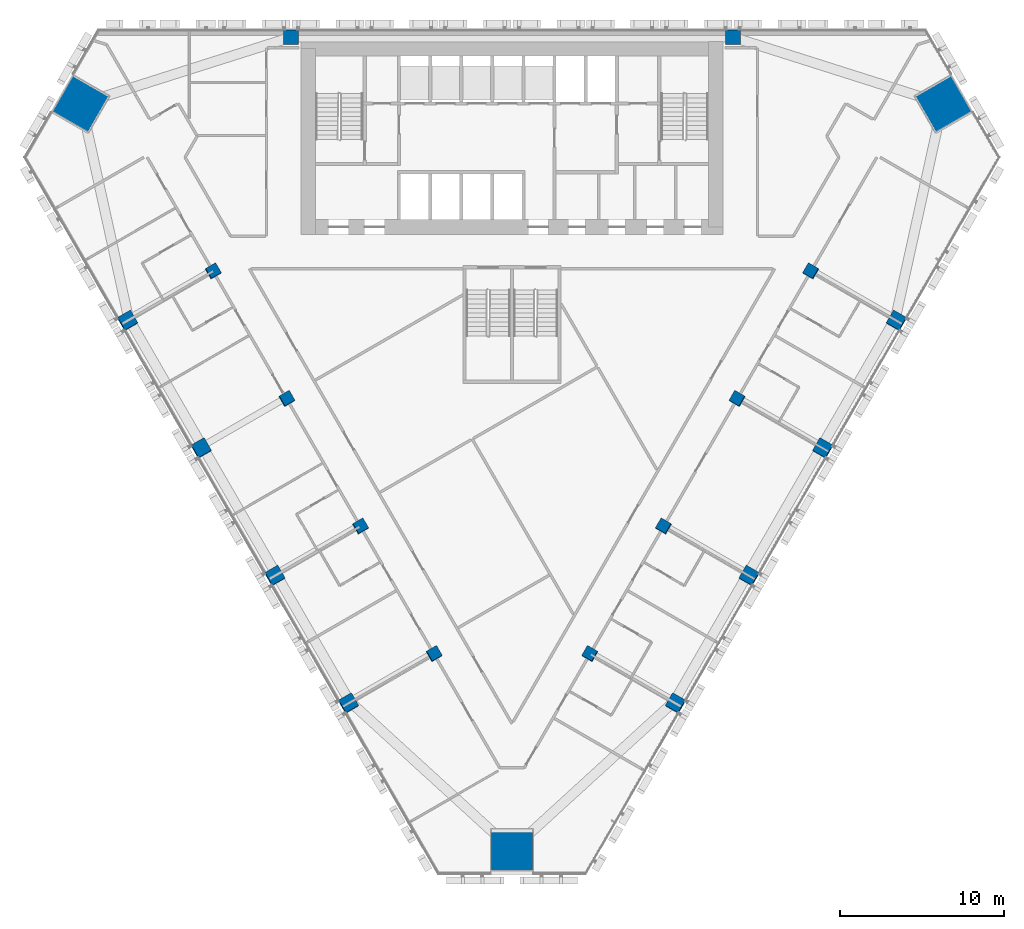
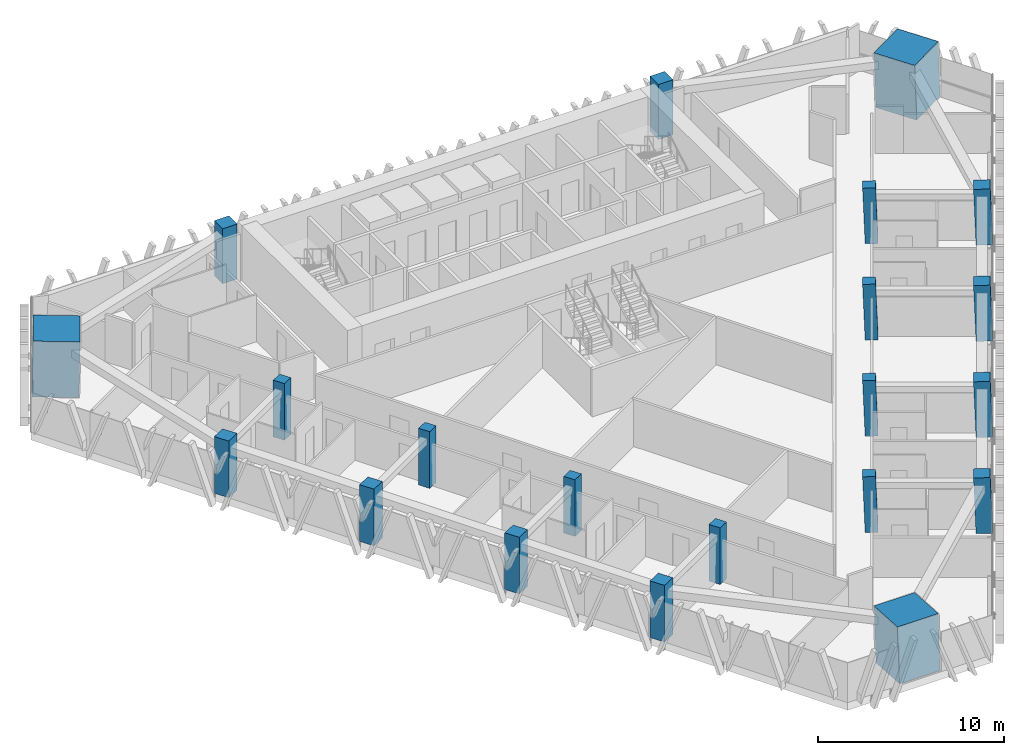
# One storey, part 1 of 16: 21 columns.
"""IFC4 building model written with IfcOpenShell, lengths in metres."""

from ifc_helpers import new_model, si_unit, direction, frame, origin, origin_2d, place, context, subcontext, project, spatial, rectangle, extrude, material, material_profile, profile_set, type_object, element, save


model = new_model("IFC4")

# Units and contexts
model_context = context("Model", 3, precision=1e-05, world=origin(), true_north=direction((0.0, 1.0)))
body_context = subcontext(model_context, "Body", "Model", "MODEL_VIEW")
ifc_project = project(units=[si_unit("LENGTHUNIT", "METRE"), si_unit("AREAUNIT", "SQUARE_METRE"), si_unit("VOLUMEUNIT", "CUBIC_METRE"), si_unit("PLANEANGLEUNIT", "RADIAN"), si_unit("MASSUNIT", "GRAM", prefix="KILO")], contexts=[model_context])

# Site, building, storey
site_placement = place(None, origin())
site = spatial("IfcSite", under=ifc_project, at=site_placement, CompositionType="ELEMENT")
building_placement = place(site_placement, origin())
building = spatial("IfcBuilding", under=site, at=building_placement, Name="Altiplano Prism Tower", CompositionType="ELEMENT")
storey_placement = place(building_placement, frame((0.0, 0.0, 73.800048828125)))
storey = spatial("IfcBuildingStorey", under=building, at=storey_placement, Name="L18", CompositionType="ELEMENT", Elevation=73.800048828125)

# Columns
ifc_material_1 = material(Name="Concrete C60/75", Category="concrete")
ifc_material_profile_1 = material_profile(ifc_material_1, rectangle(XDim=0.699951171875, YDim=0.699951171875, at=origin_2d()), Name="Inner column 700")
ifc_profile_set_1 = profile_set([ifc_material_profile_1], Name="Concrete C60/75")
column_type_1 = type_object("IfcColumnType", Name="Inner column 700", PredefinedType="COLUMN", material=ifc_profile_set_1)
for number, where, z_axis, x_axis, name in (
    (1, (66.73193359375, 90.24169921875, -0.021240234375), (0.022222910879, 0.038415824599, 0.999014697916), (-0.866026683964, -0.498518376824, 0.038434497931), "Inner column I11 L18"),
    (2, (71.23193359375, 82.447509765625, -0.021240234375), (0.022222910879, 0.038415824599, 0.999014697916), (-0.866021331072, -0.498527657424, 0.038434735731), "Inner column I12 L18"),
    (3, (75.73193359375, 74.653076171875, -0.021240234375), (0.022222852987, 0.038483477124, 0.999012095419), (-0.865639360837, -0.499186706709, 0.038485436403), "Inner column I13 L18"),
    (4, (80.23193359375, 66.85888671875, -0.021240234375), (0.022222852987, 0.038483477124, 0.999012095419), (-0.865639360837, -0.499186706709, 0.038485436403), "Inner column I14 L18"),
    (5, (89.76806640625, 66.85888671875, -0.021240234375), (-0.022222852987, 0.038483477124, 0.999012095419), (-0.500174611287, -0.865639447942, 0.022219459744), "Inner column I21 L18"),
    (6, (94.26806640625, 74.653076171875, -0.021240234375), (-0.022222852987, 0.038483477124, 0.999012095419), (-0.500174611287, -0.865639447942, 0.022219459744), "Inner column I22 L18"),
    (7, (98.76806640625, 82.447509765625, -0.021240234375), (-0.022222910879, 0.038415824599, 0.999014697916), (-0.499512959151, -0.866022170157, 0.022190187852), "Inner column I23 L18"),
    (8, (103.26806640625, 90.24169921875, -0.021240234375), (-0.022222910879, 0.038415824599, 0.999014697916), (-0.499512959151, -0.866022170157, 0.022190187852), "Inner column I24 L18"),
):
    element("IfcColumn", number, at=place(storey_placement, frame(where, z_axis=z_axis, x_axis=x_axis)), inside=storey, type_object=column_type_1, Name=name, PredefinedType="COLUMN", context=body_context, shape_type="SweptSolid", body=[
        extrude(rectangle(XDim=0.699951171875, YDim=0.699951171875, at=origin_2d()), origin(), (0.0, 0.0, 1.0), 3.603515625),
    ])
ifc_material_2 = material(Name="Concrete C70/85", Category="concrete")
ifc_material_profile_2 = material_profile(ifc_material_2, rectangle(XDim=2.52001953125, YDim=2.52001953125, at=origin_2d()), Name="Mega column infill 2600")
ifc_profile_set_2 = profile_set([ifc_material_profile_2], Name="Concrete C70/85")
column_type_2 = type_object("IfcColumnType", Name="Mega column infill 2600", PredefinedType="COLUMN", material=ifc_profile_set_2)
column_1_placement = place(storey_placement, frame((58.58203125, 100.453125, 0.0), z_axis=(0.028403721265, 0.009287135593, 0.999553389135), x_axis=(-0.866201868799, 0.499294814231, 0.019975258968)))
element("IfcColumn", 9, at=column_1_placement, inside=storey, type_object=column_type_2, Name="Mega column M0 L18", PredefinedType="COLUMN", context=body_context, shape_type="SweptSolid", body=[
    extrude(rectangle(XDim=2.52001953125, YDim=2.52001953125, at=origin_2d()), origin(), (0.0, 0.0, 1.0), 3.6015625),
])
column_2_placement = place(storey_placement, frame((85.0, 54.69580078125, 0.0), z_axis=(0.0, 0.058360852261, 0.998295552892), x_axis=(-1.0, 0.0, 0.0)))
element("IfcColumn", 10, at=column_2_placement, inside=storey, type_object=column_type_2, Name="Mega column M1 L18", PredefinedType="COLUMN", context=body_context, shape_type="SweptSolid", body=[
    extrude(rectangle(XDim=2.52001953125, YDim=2.52001953125, at=origin_2d()), origin(), (0.0, 0.0, 1.0), 3.60595703125),
])
column_3_placement = place(storey_placement, frame((111.41796875, 100.453125, 0.0), z_axis=(-0.028403721265, 0.009287135593, 0.999553389135), x_axis=(0.498883816319, -0.866383823183, 0.022226307414)))
element("IfcColumn", 11, at=column_3_placement, inside=storey, type_object=column_type_2, Name="Mega column M2 L18", PredefinedType="COLUMN", context=body_context, shape_type="SweptSolid", body=[
    extrude(rectangle(XDim=2.52001953125, YDim=2.52001953125, at=origin_2d()), origin(), (0.0, 0.0, 1.0), 3.6015625),
])
ifc_material_profile_3 = material_profile(ifc_material_1, rectangle(XDim=0.89990234375, YDim=0.89990234375, at=origin_2d()), Name="Perimeter column 900")
ifc_profile_set_3 = profile_set([ifc_material_profile_3], Name="Concrete C60/75")
column_type_3 = type_object("IfcColumnType", Name="Perimeter column 900", PredefinedType="COLUMN", material=ifc_profile_set_3)
for number, where, z_axis, x_axis, name in (
    (12, (98.5, 104.550048828125, 0.0), (0.0, 0.0, 1.0), (1.0, 0.0, 0.0), "Perimeter column P01 L18"),
    (13, (71.5, 104.550048828125, 0.0), (0.0, 0.0, 1.0), (1.0, 0.0, 0.0), "Perimeter column P04 L18"),
):
    element("IfcColumn", number, at=place(storey_placement, frame(where, z_axis=z_axis, x_axis=x_axis)), inside=storey, type_object=column_type_3, Name=name, PredefinedType="COLUMN", context=body_context, shape_type="SweptSolid", body=[
        extrude(rectangle(XDim=0.89990234375, YDim=0.89990234375, at=origin_2d()), origin(), (0.0, 0.0, 1.0), 3.599853515625),
    ])
for number, where, z_axis, x_axis, name in (
    (14, (61.492431640625, 87.21630859375, -0.02734375), (0.02222134892, 0.038480872521, 0.999012229206), (-0.86564209005, -0.49918218391, 0.038482713007), "Perimeter column P11 L18"),
    (15, (65.992431640625, 79.422119140625, -0.02734375), (0.02222134892, 0.038480872521, 0.999012229206), (-0.865639418776, -0.499186807044, 0.038482831667), "Perimeter column P12 L18"),
    (16, (70.492431640625, 71.6279296875, -0.02734375), (0.02222134892, 0.038480872521, 0.999012229206), (-0.865639418776, -0.499186807044, 0.038482831667), "Perimeter column P13 L18"),
    (17, (74.992431640625, 63.833740234375, -0.02734375), (0.022221406801, 0.038413224561, 0.999014831351), (-0.866021388936, -0.498527757451, 0.038432134412), "Perimeter column P14 L18"),
    (18, (95.007568359375, 63.833740234375, -0.02734375), (-0.022221406801, 0.038413224561, 0.999014831351), (-0.499512925744, -0.866022227907, 0.022188685988), "Perimeter column P21 L18"),
    (19, (99.507568359375, 71.6279296875, -0.02734375), (-0.02222134892, 0.038480872521, 0.999012229206), (-0.500174577835, -0.86563950587, 0.022217955907), "Perimeter column P22 L18"),
    (20, (104.007568359375, 79.422119140625, -0.02734375), (-0.02222134892, 0.038480872521, 0.999012229206), (-0.500174577835, -0.86563950587, 0.022217955907), "Perimeter column P23 L18"),
    (21, (108.507568359375, 87.21630859375, -0.02734375), (-0.02222134892, 0.038480872521, 0.999012229206), (-0.500174577835, -0.86563950587, 0.022217955907), "Perimeter column P24 L18"),
):
    element("IfcColumn", number, at=place(storey_placement, frame(where, z_axis=z_axis, x_axis=x_axis)), inside=storey, type_object=column_type_3, Name=name, PredefinedType="COLUMN", context=body_context, shape_type="SweptSolid", body=[
        extrude(rectangle(XDim=0.89990234375, YDim=0.89990234375, at=origin_2d()), origin(), (0.0, 0.0, 1.0), 3.603759765625),
    ])

save(model, "model.ifc")
